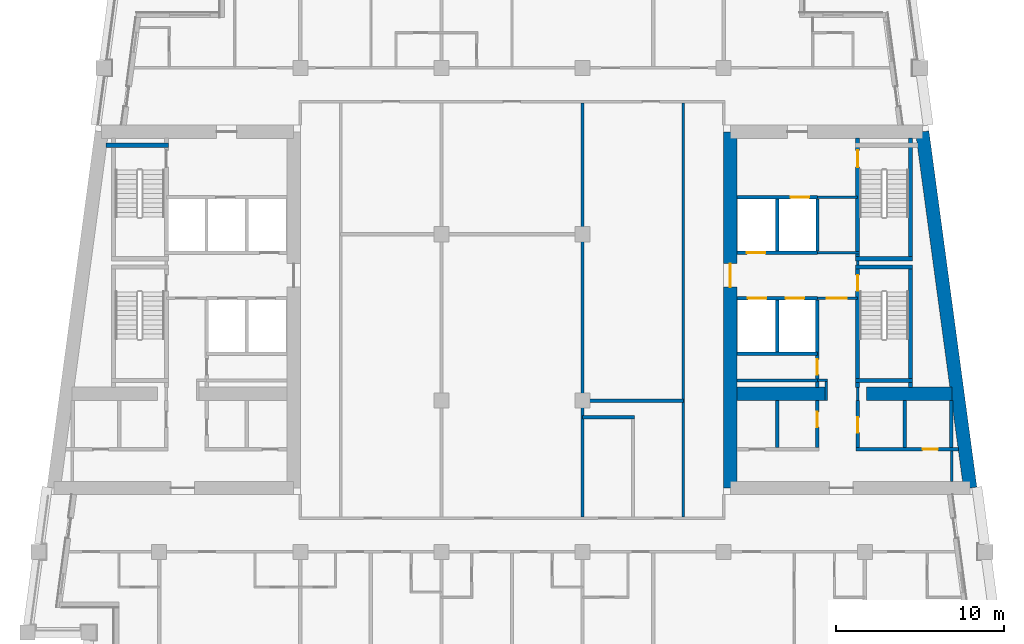
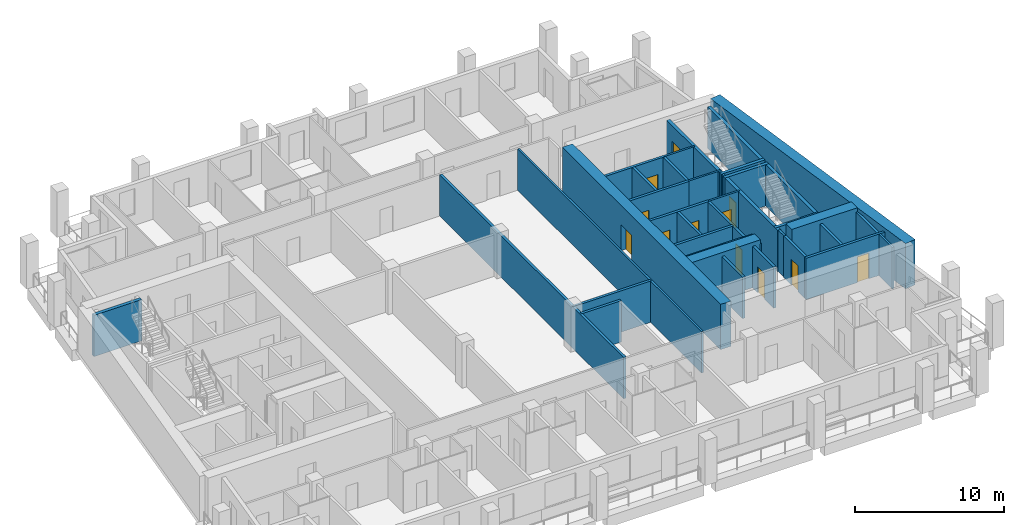
# One storey, part 5 of 13: 39 walls, 12 doors, 12 openings.
"""IFC4 building model written with IfcOpenShell, lengths in metres."""

from ifc_helpers import new_model, si_unit, direction, frame, frame_2d, origin, place, context, subcontext, project, spatial, rectangle, extrude, material, layer, layer_set, type_object, element, fill, save


model = new_model("IFC4")

# Units and contexts
model_context = context("Model", 3, precision=1e-05, world=origin(), true_north=direction((0.0, 1.0)))
body_context = subcontext(model_context, "Body", "Model", "MODEL_VIEW")
ifc_project = project(units=[si_unit("LENGTHUNIT", "METRE"), si_unit("AREAUNIT", "SQUARE_METRE"), si_unit("VOLUMEUNIT", "CUBIC_METRE"), si_unit("PLANEANGLEUNIT", "RADIAN"), si_unit("MASSUNIT", "GRAM", prefix="KILO")], contexts=[model_context])

# Site, building, storey
site_placement = place(None, origin())
site = spatial("IfcSite", under=ifc_project, at=site_placement, CompositionType="ELEMENT")
building_placement = place(site_placement, origin())
building = spatial("IfcBuilding", under=site, at=building_placement, Name="Candeia Pilgrim Tower and Theatre", CompositionType="ELEMENT")
storey_placement = place(building_placement, frame((0.0, 0.0, 239.199951171875)))
storey = spatial("IfcBuildingStorey", under=building, at=storey_placement, Name="L58", CompositionType="ELEMENT", Elevation=239.199951171875)

# Wall
ifc_material_1 = material(Name="Concrete C50/60", Category="concrete")
ifc_layer_1 = layer(ifc_material_1, 0.800048828125)
ifc_layer_set_1 = layer_set([ifc_layer_1], Name="Core wall 800 C50/60")
wall_type_1 = type_object("IfcWallType", Name="Core wall 800 C50/60", PredefinedType="SHEAR", material=ifc_layer_set_1)
wall_1_placement = place(storey_placement, frame((137.819580078125, 132.0, 0.0), z_axis=(0.0, 0.0, 1.0), x_axis=(0.133408347329, -0.991061154956, 0.0)))
element("IfcWall", 1, at=wall_1_placement, inside=storey, type_object=wall_type_1, Name="Core wall E2", PredefinedType="SHEAR", context=body_context, shape_type="SweptSolid", body=[
    extrude(rectangle(XDim=21.39111328125, YDim=0.800048828125, at=frame_2d((10.695556640625, 0.0))), origin(), (0.0, 0.0, 1.0), 3.699951171875),
])

# Wall, opening, door
wall_2_placement = place(storey_placement, frame((126.39990234375, 110.800048828125, 0.0), z_axis=(0.0, 0.0, 1.0), x_axis=(0.0, 1.0, 0.0)))
wall_2 = element("IfcWall", 2, at=wall_2_placement, inside=storey, type_object=wall_type_1, Name="Core wall E4", PredefinedType="SHEAR", context=body_context, shape_type="SweptSolid", body=[
    extrude(rectangle(XDim=21.199951171875, YDim=0.800048828125, at=frame_2d((10.60009765625, 0.0))), origin(), (0.0, 0.0, 1.0), 3.699951171875),
])
opening_1_placement = place(wall_2_placement, frame((11.949951171875, 0.0, 0.0)))
opening_1 = element("IfcOpeningElement", 3, at=opening_1_placement, cuts=wall_2, Name="Opening L58-D061", PredefinedType="OPENING", context=body_context, shape_type="SweptSolid", body=[
    extrude(rectangle(XDim=1.39990234375, YDim=2.10009765625, at=frame_2d((0.699951171875, 1.050048828125))), frame((0.0, 0.41015625, 0.0), z_axis=(0.0, -1.0, 0.0), x_axis=(1.0, 0.0, 0.0)), (0.0, 0.0, 1.0), 0.820068359375),
])
ifc_material_2 = material(Name="Steel fire door set", Category="steel")
door_type_1 = type_object("IfcDoorType", Name="D-1400-FD60", OperationType="NOTDEFINED", PredefinedType="DOOR", material=ifc_material_2)
door_1_placement = place(opening_1_placement, origin())
door_1 = element("IfcDoor", 4, at=door_1_placement, inside=storey, type_object=door_type_1, Name="Door L58-D061", OperationType="SINGLE_SWING_LEFT", OverallHeight=2.10009765625, OverallWidth=1.39990234375, PredefinedType="DOOR", context=body_context, shape_type="SweptSolid", body=[
    extrude(rectangle(XDim=1.39990234375, YDim=2.10009765625, at=frame_2d((0.699951171875, 1.050048828125))), frame((0.0, 0.02490234375, 0.0), z_axis=(0.0, -1.0, 0.0), x_axis=(1.0, 0.0, 0.0)), (0.0, 0.0, 1.0), 0.050048828125),
])
fill(opening_1, door_1)

# Walls
wall_3_placement = place(storey_placement, frame((126.800048828125, 116.39990234375, 0.0), z_axis=(0.0, 0.0, 1.0), x_axis=(1.0, 0.0, 0.0)))
element("IfcWall", 5, at=wall_3_placement, inside=storey, type_object=wall_type_1, Name="Core wall E5", PredefinedType="SHEAR", context=body_context, shape_type="SweptSolid", body=[
    extrude(rectangle(XDim=5.300048828125, YDim=0.800048828125, at=frame_2d((2.64990234375, 0.0))), origin(), (0.0, 0.0, 1.0), 3.699951171875),
])
wall_4_placement = place(storey_placement, frame((134.5, 116.39990234375, 0.0), z_axis=(0.0, 0.0, 1.0), x_axis=(1.0, 0.0, 0.0)))
element("IfcWall", 6, at=wall_4_placement, inside=storey, type_object=wall_type_1, Name="Core wall E6", PredefinedType="SHEAR", context=body_context, shape_type="SweptSolid", body=[
    extrude(rectangle(XDim=5.076904296875, YDim=0.800048828125, at=frame_2d((2.53857421875, 0.0))), origin(), (0.0, 0.0, 1.0), 3.699951171875),
])
ifc_material_3 = material(Name="Gypsum board partition on steel studs", Category="steel")
ifc_layer_2 = layer(ifc_material_3, 0.14990234375)
ifc_layer_set_2 = layer_set([ifc_layer_2], Name="PW-150 lobby wall")
wall_type_2 = type_object("IfcWallType", Name="PW-150 lobby wall", PredefinedType="PARTITIONING", material=ifc_layer_set_2)
wall_5_placement = place(storey_placement, frame((131.572998046875, 117.199951171875, 0.0), z_axis=(0.0, 0.0, 1.0), x_axis=(1.0, 0.0, 0.0)))
element("IfcWall", 7, at=wall_5_placement, inside=storey, type_object=wall_type_2, Name="Lobby wall L58-020", PredefinedType="PARTITIONING", context=body_context, shape_type="SweptSolid", body=[
    extrude(rectangle(XDim=0.60205078125, YDim=0.14990234375, at=frame_2d((0.301025390625, 0.0))), origin(), (0.0, 0.0, 1.0), 3.380126953125),
])

# Wall, opening, door
wall_6_placement = place(storey_placement, frame((131.572998046875, 122.10009765625, 0.0), z_axis=(0.0, 0.0, 1.0), x_axis=(1.0, 0.0, 0.0)))
wall_6 = element("IfcWall", 8, at=wall_6_placement, inside=storey, type_object=wall_type_2, Name="Lobby wall L58-028", PredefinedType="PARTITIONING", context=body_context, shape_type="SweptSolid", body=[
    extrude(rectangle(XDim=2.39990234375, YDim=0.14990234375, at=frame_2d((1.199951171875, 0.0))), origin(), (0.0, 0.0, 1.0), 3.380126953125),
])
opening_2_placement = place(wall_6_placement, frame((0.550048828125, 0.0, 0.0)))
opening_2 = element("IfcOpeningElement", 9, at=opening_2_placement, cuts=wall_6, Name="Opening L58-D009", PredefinedType="OPENING", context=body_context, shape_type="SweptSolid", body=[
    extrude(rectangle(XDim=1.199951171875, YDim=2.10009765625, at=frame_2d((0.60009765625, 1.050048828125))), frame((0.0, 0.0849609375, 0.0), z_axis=(0.0, -1.0, 0.0), x_axis=(1.0, 0.0, 0.0)), (0.0, 0.0, 1.0), 0.169921875),
])
door_type_2 = type_object("IfcDoorType", Name="D-1200-FD60", OperationType="NOTDEFINED", PredefinedType="DOOR", material=ifc_material_2)
door_2_placement = place(opening_2_placement, origin())
door_2 = element("IfcDoor", 10, at=door_2_placement, inside=storey, type_object=door_type_2, Name="Door L58-D009", OperationType="SINGLE_SWING_LEFT", OverallHeight=2.10009765625, OverallWidth=1.199951171875, PredefinedType="DOOR", context=body_context, shape_type="SweptSolid", body=[
    extrude(rectangle(XDim=1.199951171875, YDim=2.10009765625, at=frame_2d((0.60009765625, 1.050048828125))), frame((0.0, 0.02490234375, 0.0), z_axis=(0.0, -1.0, 0.0), x_axis=(1.0, 0.0, 0.0)), (0.0, 0.0, 1.0), 0.050048828125),
])
fill(opening_2, door_2)

# Walls
wall_7_placement = place(storey_placement, frame((131.58203125, 124.800048828125, 0.0), z_axis=(0.0, 0.0, 1.0), x_axis=(1.0, 0.0, 0.0)))
element("IfcWall", 11, at=wall_7_placement, inside=storey, type_object=wall_type_2, Name="Lobby wall L58-035", PredefinedType="PARTITIONING", context=body_context, shape_type="SweptSolid", body=[
    extrude(rectangle(XDim=2.515869140625, YDim=0.14990234375, at=frame_2d((1.2578125, 0.0))), origin(), (0.0, 0.0, 1.0), 3.380126953125),
])
wall_8_placement = place(storey_placement, frame((131.58203125, 128.10009765625, 0.0), z_axis=(0.0, 0.0, 1.0), x_axis=(1.0, 0.0, 0.0)))
element("IfcWall", 12, at=wall_8_placement, inside=storey, type_object=wall_type_2, Name="Lobby wall L58-039", PredefinedType="PARTITIONING", context=body_context, shape_type="SweptSolid", body=[
    extrude(rectangle(XDim=2.390869140625, YDim=0.14990234375, at=frame_2d((1.1953125, 0.0))), origin(), (0.0, 0.0, 1.0), 3.380126953125),
])
wall_9_placement = place(storey_placement, frame((132.10009765625, 116.0, 0.0), z_axis=(0.0, 0.0, 1.0), x_axis=(0.0, 1.0, 0.0)))
element("IfcWall", 13, at=wall_9_placement, inside=storey, type_object=wall_type_2, Name="Lobby wall L58-105", PredefinedType="PARTITIONING", context=body_context, shape_type="SweptSolid", body=[
    extrude(rectangle(XDim=1.125, YDim=0.14990234375, at=frame_2d((0.5625, 0.0))), origin(), (0.0, 0.0, 1.0), 3.380126953125),
])
wall_10_placement = place(storey_placement, frame((133.972900390625, 116.0, 0.0), z_axis=(0.0, 0.0, 1.0), x_axis=(0.0, 1.0, 0.0)))
element("IfcWall", 14, at=wall_10_placement, inside=storey, type_object=wall_type_2, Name="Lobby wall L58-109", PredefinedType="PARTITIONING", context=body_context, shape_type="SweptSolid", body=[
    extrude(rectangle(XDim=0.77001953125, YDim=0.14990234375, at=frame_2d((0.385009765625, 0.0))), origin(), (0.0, 0.0, 1.0), 3.380126953125),
])
wall_11_placement = place(storey_placement, frame((133.972900390625, 124.074951171875, 0.0), z_axis=(0.0, 0.0, 1.0), x_axis=(0.0, 1.0, 0.0)))
element("IfcWall", 15, at=wall_11_placement, inside=storey, type_object=wall_type_2, Name="Lobby wall L58-110", PredefinedType="PARTITIONING", context=body_context, shape_type="SweptSolid", body=[
    extrude(rectangle(XDim=0.25, YDim=0.14990234375, at=frame_2d((0.125, 0.0))), origin(), (0.0, 0.0, 1.0), 3.380126953125),
])
wall_12_placement = place(storey_placement, frame((139.572998046875, 111.199951171875, 0.0), z_axis=(0.0, 0.0, 1.0), x_axis=(0.0, 1.0, 0.0)))
element("IfcWall", 16, at=wall_12_placement, inside=storey, type_object=wall_type_2, Name="Lobby wall L58-119", PredefinedType="PARTITIONING", context=body_context, shape_type="SweptSolid", body=[
    extrude(rectangle(XDim=1.800048828125, YDim=0.14990234375, at=frame_2d((0.89990234375, 0.0))), origin(), (0.0, 0.0, 1.0), 3.380126953125),
])
ifc_layer_3 = layer(ifc_material_3, 0.14990234375)
ifc_layer_set_3 = layer_set([ifc_layer_3], Name="PW-150 unit wall")
wall_type_3 = type_object("IfcWallType", Name="PW-150 unit wall", PredefinedType="PARTITIONING", material=ifc_layer_set_3)
wall_13_placement = place(storey_placement, frame((123.60009765625, 109.074951171875, 0.0), z_axis=(0.0, 0.0, 1.0), x_axis=(0.0, 1.0, 0.0)))
element("IfcWall", 17, at=wall_13_placement, inside=storey, type_object=wall_type_3, Name="Unit wall L58-093", PredefinedType="PARTITIONING", context=body_context, shape_type="SweptSolid", body=[
    extrude(rectangle(XDim=24.650146484375, YDim=0.14990234375, at=frame_2d((12.3251953125, 0.0))), origin(), (0.0, 0.0, 1.0), 3.380126953125),
])
ifc_layer_4 = layer(ifc_material_3, 0.199951171875)
ifc_layer_set_4 = layer_set([ifc_layer_4], Name="PW-200 party wall")
wall_type_4 = type_object("IfcWallType", Name="PW-200 party wall", PredefinedType="PARTITIONING", material=ifc_layer_set_4)
wall_14_placement = place(storey_placement, frame((117.60009765625, 115.0, 0.0), z_axis=(0.0, 0.0, 1.0), x_axis=(1.0, 0.0, 0.0)))
element("IfcWall", 18, at=wall_14_placement, inside=storey, type_object=wall_type_4, Name="Party wall L58-015", PredefinedType="PARTITIONING", context=body_context, shape_type="SweptSolid", body=[
    extrude(rectangle(XDim=3.099853515625, YDim=0.199951171875, at=frame_2d((1.5498046875, 0.0))), origin(), (0.0, 0.0, 1.0), 3.380126953125),
])
wall_15_placement = place(storey_placement, frame((117.60009765625, 116.0, 0.0), z_axis=(0.0, 0.0, 1.0), x_axis=(1.0, 0.0, 0.0)))
element("IfcWall", 19, at=wall_15_placement, inside=storey, type_object=wall_type_4, Name="Party wall L58-016", PredefinedType="PARTITIONING", context=body_context, shape_type="SweptSolid", body=[
    extrude(rectangle(XDim=6.0, YDim=0.199951171875, at=frame_2d((3.0, 0.0))), origin(), (0.0, 0.0, 1.0), 3.380126953125),
])
wall_16_placement = place(storey_placement, frame((117.60009765625, 109.074951171875, 0.0), z_axis=(0.0, 0.0, 1.0), x_axis=(0.0, 1.0, 0.0)))
element("IfcWall", 20, at=wall_16_placement, inside=storey, type_object=wall_type_4, Name="Party wall L58-088", PredefinedType="PARTITIONING", context=body_context, shape_type="SweptSolid", body=[
    extrude(rectangle(XDim=24.650146484375, YDim=0.199951171875, at=frame_2d((12.3251953125, 0.0))), origin(), (0.0, 0.0, 1.0), 3.380126953125),
])

# Wall, opening, door
ifc_material_4 = material(Name="Concrete C40/50", Category="concrete")
ifc_layer_5 = layer(ifc_material_4, 0.199951171875)
ifc_layer_set_5 = layer_set([ifc_layer_5], Name="SW-200 shaft wall")
wall_type_5 = type_object("IfcWallType", Name="SW-200 shaft wall", PredefinedType="PARTITIONING", material=ifc_layer_set_5)
wall_17_placement = place(storey_placement, frame((133.873046875, 113.10009765625, 0.0), z_axis=(0.0, 0.0, 1.0), x_axis=(1.0, 0.0, 0.0)))
wall_17 = element("IfcWall", 21, at=wall_17_placement, inside=storey, type_object=wall_type_5, Name="Shaft wall L58-014", PredefinedType="PARTITIONING", context=body_context, shape_type="SweptSolid", body=[
    extrude(rectangle(XDim=6.116943359375, YDim=0.199951171875, at=frame_2d((3.05859375, 0.0))), origin(), (0.0, 0.0, 1.0), 3.380126953125),
])
opening_3_placement = place(wall_17_placement, frame((3.969970703125, 0.0, 0.0)))
opening_3 = element("IfcOpeningElement", 22, at=opening_3_placement, cuts=wall_17, Name="Opening L58-D013", PredefinedType="OPENING", context=body_context, shape_type="SweptSolid", body=[
    extrude(rectangle(XDim=0.89990234375, YDim=2.10009765625, at=frame_2d((0.449951171875, 1.050048828125))), frame((0.0, 0.10986328125, 0.0), z_axis=(0.0, -1.0, 0.0), x_axis=(1.0, 0.0, 0.0)), (0.0, 0.0, 1.0), 0.219970703125),
])
door_type_3 = type_object("IfcDoorType", Name="D-900-FD60", OperationType="NOTDEFINED", PredefinedType="DOOR", material=ifc_material_2)
door_3_placement = place(opening_3_placement, origin())
door_3 = element("IfcDoor", 23, at=door_3_placement, inside=storey, type_object=door_type_3, Name="Door L58-D013", OperationType="SINGLE_SWING_LEFT", OverallHeight=2.10009765625, OverallWidth=0.89990234375, PredefinedType="DOOR", context=body_context, shape_type="SweptSolid", body=[
    extrude(rectangle(XDim=0.89990234375, YDim=2.10009765625, at=frame_2d((0.449951171875, 1.050048828125))), frame((0.0, 0.02490234375, 0.0), z_axis=(0.0, -1.0, 0.0), x_axis=(1.0, 0.0, 0.0)), (0.0, 0.0, 1.0), 0.050048828125),
])
fill(opening_3, door_3)

# Walls
for number, where, z_axis, x_axis, name in (
    (24, (126.800048828125, 117.199951171875, 0.0), (0.0, 0.0, 1.0), (1.0, 0.0, 0.0), "Shaft wall L58-018"),
    (25, (126.800048828125, 118.800048828125, 0.0), (0.0, 0.0, 1.0), (1.0, 0.0, 0.0), "Shaft wall L58-024"),
):
    element("IfcWall", number, at=place(storey_placement, frame(where, z_axis=z_axis, x_axis=x_axis)), inside=storey, type_object=wall_type_5, Name=name, PredefinedType="PARTITIONING", context=body_context, shape_type="SweptSolid", body=[
        extrude(rectangle(XDim=4.77294921875, YDim=0.199951171875, at=frame_2d((2.386474609375, 0.0))), origin(), (0.0, 0.0, 1.0), 3.380126953125),
    ])

# Wall, openings, doors
wall_18_placement = place(storey_placement, frame((126.800048828125, 122.10009765625, 0.0), z_axis=(0.0, 0.0, 1.0), x_axis=(1.0, 0.0, 0.0)))
wall_18 = element("IfcWall", 26, at=wall_18_placement, inside=storey, type_object=wall_type_5, Name="Shaft wall L58-026", PredefinedType="PARTITIONING", context=body_context, shape_type="SweptSolid", body=[
    extrude(rectangle(XDim=4.77294921875, YDim=0.199951171875, at=frame_2d((2.386474609375, 0.0))), origin(), (0.0, 0.0, 1.0), 3.380126953125),
])
opening_4_placement = place(wall_18_placement, frame((2.883056640625, 0.0, 0.0)))
opening_4 = element("IfcOpeningElement", 27, at=opening_4_placement, cuts=wall_18, Name="Opening L58-LD05", PredefinedType="OPENING", context=body_context, shape_type="SweptSolid", body=[
    extrude(rectangle(XDim=1.10009765625, YDim=2.10009765625, at=frame_2d((0.550048828125, 1.050048828125))), frame((0.0, 0.10986328125, 0.0), z_axis=(0.0, -1.0, 0.0), x_axis=(1.0, 0.0, 0.0)), (0.0, 0.0, 1.0), 0.219970703125),
])
opening_5_placement = place(wall_18_placement, frame((0.64306640625, 0.0, 0.0)))
opening_5 = element("IfcOpeningElement", 28, at=opening_5_placement, cuts=wall_18, Name="Opening L58-LD06", PredefinedType="OPENING", context=body_context, shape_type="SweptSolid", body=[
    extrude(rectangle(XDim=1.10009765625, YDim=2.10009765625, at=frame_2d((0.550048828125, 1.050048828125))), frame((0.0, 0.10986328125, 0.0), z_axis=(0.0, -1.0, 0.0), x_axis=(1.0, 0.0, 0.0)), (0.0, 0.0, 1.0), 0.219970703125),
])
ifc_material_5 = material(Name="Glazed aluminium landing door", Category="aluminium")
door_type_4 = type_object("IfcDoorType", Name="LD-1100-EI120", OperationType="SLIDING_TO_LEFT", PredefinedType="DOOR", material=ifc_material_5)
door_4_placement = place(opening_4_placement, origin())
door_4 = element("IfcDoor", 29, at=door_4_placement, inside=storey, type_object=door_type_4, Name="Landing door 05 L58", OperationType="SLIDING_TO_LEFT", OverallHeight=2.10009765625, OverallWidth=1.10009765625, PredefinedType="DOOR", context=body_context, shape_type="SweptSolid", body=[
    extrude(rectangle(XDim=1.10009765625, YDim=2.10009765625, at=frame_2d((0.550048828125, 1.050048828125))), frame((0.0, 0.02490234375, 0.0), z_axis=(0.0, -1.0, 0.0), x_axis=(1.0, 0.0, 0.0)), (0.0, 0.0, 1.0), 0.050048828125),
])
fill(opening_4, door_4)
door_5_placement = place(opening_5_placement, origin())
door_5 = element("IfcDoor", 30, at=door_5_placement, inside=storey, type_object=door_type_4, Name="Landing door 06 L58", OperationType="SLIDING_TO_LEFT", OverallHeight=2.10009765625, OverallWidth=1.10009765625, PredefinedType="DOOR", context=body_context, shape_type="SweptSolid", body=[
    extrude(rectangle(XDim=1.10009765625, YDim=2.10009765625, at=frame_2d((0.550048828125, 1.050048828125))), frame((0.0, 0.02490234375, 0.0), z_axis=(0.0, -1.0, 0.0), x_axis=(1.0, 0.0, 0.0)), (0.0, 0.0, 1.0), 0.050048828125),
])
fill(opening_5, door_5)

# Wall, opening, door
wall_19_placement = place(storey_placement, frame((126.800048828125, 124.800048828125, 0.0), z_axis=(0.0, 0.0, 1.0), x_axis=(1.0, 0.0, 0.0)))
wall_19 = element("IfcWall", 31, at=wall_19_placement, inside=storey, type_object=wall_type_5, Name="Shaft wall L58-034", PredefinedType="PARTITIONING", context=body_context, shape_type="SweptSolid", body=[
    extrude(rectangle(XDim=4.781982421875, YDim=0.199951171875, at=frame_2d((2.39111328125, 0.0))), origin(), (0.0, 0.0, 1.0), 3.380126953125),
])
opening_6_placement = place(wall_19_placement, frame((0.5859375, 0.0, 0.0)))
opening_6 = element("IfcOpeningElement", 32, at=opening_6_placement, cuts=wall_19, Name="Opening L58-LD08", PredefinedType="OPENING", context=body_context, shape_type="SweptSolid", body=[
    extrude(rectangle(XDim=1.10009765625, YDim=2.10009765625, at=frame_2d((0.550048828125, 1.050048828125))), frame((0.0, 0.10986328125, 0.0), z_axis=(0.0, -1.0, 0.0), x_axis=(1.0, 0.0, 0.0)), (0.0, 0.0, 1.0), 0.219970703125),
])
door_6_placement = place(opening_6_placement, origin())
door_6 = element("IfcDoor", 33, at=door_6_placement, inside=storey, type_object=door_type_4, Name="Landing door 08 L58", OperationType="SLIDING_TO_LEFT", OverallHeight=2.10009765625, OverallWidth=1.10009765625, PredefinedType="DOOR", context=body_context, shape_type="SweptSolid", body=[
    extrude(rectangle(XDim=1.10009765625, YDim=2.10009765625, at=frame_2d((0.550048828125, 1.050048828125))), frame((0.0, 0.02490234375, 0.0), z_axis=(0.0, -1.0, 0.0), x_axis=(1.0, 0.0, 0.0)), (0.0, 0.0, 1.0), 0.050048828125),
])
fill(opening_6, door_6)

wall_20_placement = place(storey_placement, frame((126.800048828125, 128.10009765625, 0.0), z_axis=(0.0, 0.0, 1.0), x_axis=(1.0, 0.0, 0.0)))
wall_20 = element("IfcWall", 34, at=wall_20_placement, inside=storey, type_object=wall_type_5, Name="Shaft wall L58-038", PredefinedType="PARTITIONING", context=body_context, shape_type="SweptSolid", body=[
    extrude(rectangle(XDim=4.781982421875, YDim=0.199951171875, at=frame_2d((2.39111328125, 0.0))), origin(), (0.0, 0.0, 1.0), 3.380126953125),
])
opening_7_placement = place(wall_20_placement, frame((3.18408203125, 0.0, 0.0)))
opening_7 = element("IfcOpeningElement", 35, at=opening_7_placement, cuts=wall_20, Name="Opening L58-LD07", PredefinedType="OPENING", context=body_context, shape_type="SweptSolid", body=[
    extrude(rectangle(XDim=1.10009765625, YDim=2.10009765625, at=frame_2d((0.550048828125, 1.050048828125))), frame((0.0, 0.10986328125, 0.0), z_axis=(0.0, -1.0, 0.0), x_axis=(1.0, 0.0, 0.0)), (0.0, 0.0, 1.0), 0.219970703125),
])
door_7_placement = place(opening_7_placement, origin())
door_7 = element("IfcDoor", 36, at=door_7_placement, inside=storey, type_object=door_type_4, Name="Landing door 07 L58", OperationType="SLIDING_TO_LEFT", OverallHeight=2.10009765625, OverallWidth=1.10009765625, PredefinedType="DOOR", context=body_context, shape_type="SweptSolid", body=[
    extrude(rectangle(XDim=1.10009765625, YDim=2.10009765625, at=frame_2d((0.550048828125, 1.050048828125))), frame((0.0, 0.02490234375, 0.0), z_axis=(0.0, -1.0, 0.0), x_axis=(1.0, 0.0, 0.0)), (0.0, 0.0, 1.0), 0.050048828125),
])
fill(opening_7, door_7)

# Walls
wall_21_placement = place(storey_placement, frame((129.1865234375, 113.199951171875, 0.0), z_axis=(0.0, 0.0, 1.0), x_axis=(0.0, 1.0, 0.0)))
element("IfcWall", 37, at=wall_21_placement, inside=storey, type_object=wall_type_5, Name="Shaft wall L58-097", PredefinedType="PARTITIONING", context=body_context, shape_type="SweptSolid", body=[
    extrude(rectangle(XDim=2.800048828125, YDim=0.199951171875, at=frame_2d((1.39990234375, 0.0))), origin(), (0.0, 0.0, 1.0), 3.380126953125),
])
for number, where, z_axis, x_axis, name in (
    (38, (129.1865234375, 118.89990234375, 0.0), (0.0, 0.0, 1.0), (0.0, 1.0, 0.0), "Shaft wall L58-098"),
    (39, (129.19091796875, 124.89990234375, 0.0), (0.0, 0.0, 1.0), (0.0, 1.0, 0.0), "Shaft wall L58-099"),
):
    element("IfcWall", number, at=place(storey_placement, frame(where, z_axis=z_axis, x_axis=x_axis)), inside=storey, type_object=wall_type_5, Name=name, PredefinedType="PARTITIONING", context=body_context, shape_type="SweptSolid", body=[
        extrude(rectangle(XDim=3.10009765625, YDim=0.199951171875, at=frame_2d((1.550048828125, 0.0))), origin(), (0.0, 0.0, 1.0), 3.380126953125),
    ])

# Wall, opening, door
wall_22_placement = place(storey_placement, frame((131.572998046875, 113.199951171875, 0.0), z_axis=(0.0, 0.0, 1.0), x_axis=(0.0, 1.0, 0.0)))
wall_22 = element("IfcWall", 40, at=wall_22_placement, inside=storey, type_object=wall_type_5, Name="Shaft wall L58-102", PredefinedType="PARTITIONING", context=body_context, shape_type="SweptSolid", body=[
    extrude(rectangle(XDim=2.800048828125, YDim=0.199951171875, at=frame_2d((1.39990234375, 0.0))), origin(), (0.0, 0.0, 1.0), 3.380126953125),
])
opening_8_placement = place(wall_22_placement, frame((1.22509765625, 0.0, 0.0)))
opening_8 = element("IfcOpeningElement", 41, at=opening_8_placement, cuts=wall_22, Name="Opening L58-D015", PredefinedType="OPENING", context=body_context, shape_type="SweptSolid", body=[
    extrude(rectangle(XDim=0.89990234375, YDim=2.10009765625, at=frame_2d((0.449951171875, 1.050048828125))), frame((0.0, 0.10986328125, 0.0), z_axis=(0.0, -1.0, 0.0), x_axis=(1.0, 0.0, 0.0)), (0.0, 0.0, 1.0), 0.219970703125),
])
door_8_placement = place(opening_8_placement, origin())
door_8 = element("IfcDoor", 42, at=door_8_placement, inside=storey, type_object=door_type_3, Name="Door L58-D015", OperationType="SINGLE_SWING_LEFT", OverallHeight=2.10009765625, OverallWidth=0.89990234375, PredefinedType="DOOR", context=body_context, shape_type="SweptSolid", body=[
    extrude(rectangle(XDim=0.89990234375, YDim=2.10009765625, at=frame_2d((0.449951171875, 1.050048828125))), frame((0.0, 0.02490234375, 0.0), z_axis=(0.0, -1.0, 0.0), x_axis=(1.0, 0.0, 0.0)), (0.0, 0.0, 1.0), 0.050048828125),
])
fill(opening_8, door_8)

wall_23_placement = place(storey_placement, frame((131.572998046875, 116.77001953125, 0.0), z_axis=(0.0, 0.0, 1.0), x_axis=(0.0, 1.0, 0.0)))
wall_23 = element("IfcWall", 43, at=wall_23_placement, inside=storey, type_object=wall_type_5, Name="Shaft wall L58-103", PredefinedType="PARTITIONING", context=body_context, shape_type="SweptSolid", body=[
    extrude(rectangle(XDim=5.22998046875, YDim=0.199951171875, at=frame_2d((2.614990234375, 0.0))), origin(), (0.0, 0.0, 1.0), 3.380126953125),
])
opening_9_placement = place(wall_23_placement, frame((0.780029296875, 0.0, 0.0)))
opening_9 = element("IfcOpeningElement", 44, at=opening_9_placement, cuts=wall_23, Name="Opening L58-D012", PredefinedType="OPENING", context=body_context, shape_type="SweptSolid", body=[
    extrude(rectangle(XDim=0.89990234375, YDim=2.10009765625, at=frame_2d((0.449951171875, 1.050048828125))), frame((0.0, 0.10986328125, 0.0), z_axis=(0.0, -1.0, 0.0), x_axis=(1.0, 0.0, 0.0)), (0.0, 0.0, 1.0), 0.219970703125),
])
door_9_placement = place(opening_9_placement, origin())
door_9 = element("IfcDoor", 45, at=door_9_placement, inside=storey, type_object=door_type_3, Name="Door L58-D012", OperationType="SINGLE_SWING_RIGHT", OverallHeight=2.10009765625, OverallWidth=0.89990234375, PredefinedType="DOOR", context=body_context, shape_type="SweptSolid", body=[
    extrude(rectangle(XDim=0.89990234375, YDim=2.10009765625, at=frame_2d((0.449951171875, 1.050048828125))), frame((0.0, 0.02490234375, 0.0), z_axis=(0.0, -1.0, 0.0), x_axis=(1.0, 0.0, 0.0)), (0.0, 0.0, 1.0), 0.050048828125),
])
fill(opening_9, door_9)

# Wall
wall_24_placement = place(storey_placement, frame((131.58203125, 124.89990234375, 0.0), z_axis=(0.0, 0.0, 1.0), x_axis=(0.0, 1.0, 0.0)))
element("IfcWall", 46, at=wall_24_placement, inside=storey, type_object=wall_type_5, Name="Shaft wall L58-104", PredefinedType="PARTITIONING", context=body_context, shape_type="SweptSolid", body=[
    extrude(rectangle(XDim=3.10009765625, YDim=0.199951171875, at=frame_2d((1.550048828125, 0.0))), origin(), (0.0, 0.0, 1.0), 3.380126953125),
])

# Wall, opening, door
wall_25_placement = place(storey_placement, frame((133.972900390625, 113.199951171875, 0.0), z_axis=(0.0, 0.0, 1.0), x_axis=(0.0, 1.0, 0.0)))
wall_25 = element("IfcWall", 47, at=wall_25_placement, inside=storey, type_object=wall_type_5, Name="Shaft wall L58-108", PredefinedType="PARTITIONING", context=body_context, shape_type="SweptSolid", body=[
    extrude(rectangle(XDim=2.800048828125, YDim=0.199951171875, at=frame_2d((1.39990234375, 0.0))), origin(), (0.0, 0.0, 1.0), 3.380126953125),
])
opening_10_placement = place(wall_25_placement, frame((0.89990234375, 0.0, 0.0)))
opening_10 = element("IfcOpeningElement", 48, at=opening_10_placement, cuts=wall_25, Name="Opening L58-D014", PredefinedType="OPENING", context=body_context, shape_type="SweptSolid", body=[
    extrude(rectangle(XDim=0.89990234375, YDim=2.10009765625, at=frame_2d((0.449951171875, 1.050048828125))), frame((0.0, 0.10986328125, 0.0), z_axis=(0.0, -1.0, 0.0), x_axis=(1.0, 0.0, 0.0)), (0.0, 0.0, 1.0), 0.219970703125),
])
door_10_placement = place(opening_10_placement, origin())
door_10 = element("IfcDoor", 49, at=door_10_placement, inside=storey, type_object=door_type_3, Name="Door L58-D014", OperationType="SINGLE_SWING_RIGHT", OverallHeight=2.10009765625, OverallWidth=0.89990234375, PredefinedType="DOOR", context=body_context, shape_type="SweptSolid", body=[
    extrude(rectangle(XDim=0.89990234375, YDim=2.10009765625, at=frame_2d((0.449951171875, 1.050048828125))), frame((0.0, 0.02490234375, 0.0), z_axis=(0.0, -1.0, 0.0), x_axis=(1.0, 0.0, 0.0)), (0.0, 0.0, 1.0), 0.050048828125),
])
fill(opening_10, door_10)

# Walls
for number, where, z_axis, x_axis, name in (
    (50, (136.77294921875, 113.199951171875, 0.0), (0.0, 0.0, 1.0), (0.0, 1.0, 0.0), "Shaft wall L58-114"),
    (51, (139.550537109375, 113.199951171875, 0.0), (0.0, 0.0, 1.0), (0.0, 1.0, 0.0), "Shaft wall L58-118"),
):
    element("IfcWall", number, at=place(storey_placement, frame(where, z_axis=z_axis, x_axis=x_axis)), inside=storey, type_object=wall_type_5, Name=name, PredefinedType="PARTITIONING", context=body_context, shape_type="SweptSolid", body=[
        extrude(rectangle(XDim=2.800048828125, YDim=0.199951171875, at=frame_2d((1.39990234375, 0.0))), origin(), (0.0, 0.0, 1.0), 3.380126953125),
    ])
ifc_layer_6 = layer(ifc_material_4, 0.25)
ifc_layer_set_6 = layer_set([ifc_layer_6], Name="SW-250 stair wall")
wall_type_6 = type_object("IfcWallType", Name="SW-250 stair wall", PredefinedType="PARTITIONING", material=ifc_layer_set_6)
for number, where, z_axis, x_axis, name in (
    (52, (133.847900390625, 117.199951171875, 0.0), (0.0, 0.0, 1.0), (1.0, 0.0, 0.0), "Stair wall L58-022"),
    (53, (133.847900390625, 123.949951171875, 0.0), (0.0, 0.0, 1.0), (1.0, 0.0, 0.0), "Stair wall L58-030"),
    (54, (133.847900390625, 124.449951171875, 0.0), (0.0, 0.0, 1.0), (1.0, 0.0, 0.0), "Stair wall L58-032"),
):
    element("IfcWall", number, at=place(storey_placement, frame(where, z_axis=z_axis, x_axis=x_axis)), inside=storey, type_object=wall_type_6, Name=name, PredefinedType="PARTITIONING", context=body_context, shape_type="SweptSolid", body=[
        extrude(rectangle(XDim=3.400146484375, YDim=0.25, at=frame_2d((1.7001953125, 0.0))), origin(), (0.0, 0.0, 1.0), 3.380126953125),
    ])
wall_26_placement = place(storey_placement, frame((89.246337890625, 131.199951171875, 0.0), z_axis=(0.0, 0.0, 1.0), x_axis=(1.0, 0.0, 0.0)))
element("IfcWall", 55, at=wall_26_placement, inside=storey, type_object=wall_type_6, Name="Stair wall L58-040", PredefinedType="PARTITIONING", context=body_context, shape_type="SweptSolid", body=[
    extrude(rectangle(XDim=3.70556640625, YDim=0.25, at=frame_2d((1.852783203125, 0.0))), origin(), (0.0, 0.0, 1.0), 3.380126953125),
])

# Wall, opening, door
wall_27_placement = place(storey_placement, frame((133.972900390625, 116.77001953125, 0.0), z_axis=(0.0, 0.0, 1.0), x_axis=(0.0, 1.0, 0.0)))
wall_27 = element("IfcWall", 56, at=wall_27_placement, inside=storey, type_object=wall_type_6, Name="Stair wall L58-111", PredefinedType="PARTITIONING", context=body_context, shape_type="SweptSolid", body=[
    extrude(rectangle(XDim=7.054931640625, YDim=0.25, at=frame_2d((3.52734375, 0.0))), origin(), (0.0, 0.0, 1.0), 3.380126953125),
])
opening_11_placement = place(wall_27_placement, frame((5.7548828125, 0.0, 0.0)))
opening_11 = element("IfcOpeningElement", 57, at=opening_11_placement, cuts=wall_27, Name="Opening L58-D010", PredefinedType="OPENING", context=body_context, shape_type="SweptSolid", body=[
    extrude(rectangle(XDim=0.949951171875, YDim=2.10009765625, at=frame_2d((0.47509765625, 1.050048828125))), frame((0.0, 0.135009765625, 0.0), z_axis=(0.0, -1.0, 0.0), x_axis=(1.0, 0.0, 0.0)), (0.0, 0.0, 1.0), 0.27001953125),
])
door_type_5 = type_object("IfcDoorType", Name="D-950-FD60", OperationType="NOTDEFINED", PredefinedType="DOOR", material=ifc_material_2)
door_11_placement = place(opening_11_placement, origin())
door_11 = element("IfcDoor", 58, at=door_11_placement, inside=storey, type_object=door_type_5, Name="Door L58-D010", OperationType="SINGLE_SWING_RIGHT", OverallHeight=2.10009765625, OverallWidth=0.949951171875, PredefinedType="DOOR", context=body_context, shape_type="SweptSolid", body=[
    extrude(rectangle(XDim=0.949951171875, YDim=2.10009765625, at=frame_2d((0.47509765625, 1.050048828125))), frame((0.0, 0.02490234375, 0.0), z_axis=(0.0, -1.0, 0.0), x_axis=(1.0, 0.0, 0.0)), (0.0, 0.0, 1.0), 0.050048828125),
])
fill(opening_11, door_11)

wall_28_placement = place(storey_placement, frame((133.972900390625, 124.574951171875, 0.0), z_axis=(0.0, 0.0, 1.0), x_axis=(0.0, 1.0, 0.0)))
wall_28 = element("IfcWall", 59, at=wall_28_placement, inside=storey, type_object=wall_type_6, Name="Stair wall L58-112", PredefinedType="PARTITIONING", context=body_context, shape_type="SweptSolid", body=[
    extrude(rectangle(XDim=7.054931640625, YDim=0.25, at=frame_2d((3.52734375, 0.0))), origin(), (0.0, 0.0, 1.0), 3.380126953125),
])
opening_12_placement = place(wall_28_placement, frame((5.324951171875, 0.0, 0.0)))
opening_12 = element("IfcOpeningElement", 60, at=opening_12_placement, cuts=wall_28, Name="Opening L58-D011", PredefinedType="OPENING", context=body_context, shape_type="SweptSolid", body=[
    extrude(rectangle(XDim=1.0, YDim=2.10009765625, at=frame_2d((0.5, 1.050048828125))), frame((0.0, 0.135009765625, 0.0), z_axis=(0.0, -1.0, 0.0), x_axis=(1.0, 0.0, 0.0)), (0.0, 0.0, 1.0), 0.27001953125),
])
door_type_6 = type_object("IfcDoorType", Name="D-1000-FD60", OperationType="NOTDEFINED", PredefinedType="DOOR", material=ifc_material_2)
door_12_placement = place(opening_12_placement, origin())
door_12 = element("IfcDoor", 61, at=door_12_placement, inside=storey, type_object=door_type_6, Name="Door L58-D011", OperationType="SINGLE_SWING_LEFT", OverallHeight=2.10009765625, OverallWidth=1.0, PredefinedType="DOOR", context=body_context, shape_type="SweptSolid", body=[
    extrude(rectangle(XDim=1.0, YDim=2.10009765625, at=frame_2d((0.5, 1.050048828125))), frame((0.0, 0.02490234375, 0.0), z_axis=(0.0, -1.0, 0.0), x_axis=(1.0, 0.0, 0.0)), (0.0, 0.0, 1.0), 0.050048828125),
])
fill(opening_12, door_12)

# Walls
for number, where, z_axis, x_axis, name in (
    (62, (137.123046875, 116.77001953125, 0.0), (0.0, 0.0, 1.0), (0.0, 1.0, 0.0), "Stair wall L58-115"),
    (63, (137.123046875, 124.574951171875, 0.0), (0.0, 0.0, 1.0), (0.0, 1.0, 0.0), "Stair wall L58-116"),
):
    element("IfcWall", number, at=place(storey_placement, frame(where, z_axis=z_axis, x_axis=x_axis)), inside=storey, type_object=wall_type_6, Name=name, PredefinedType="PARTITIONING", context=body_context, shape_type="SweptSolid", body=[
        extrude(rectangle(XDim=7.054931640625, YDim=0.25, at=frame_2d((3.52734375, 0.0))), origin(), (0.0, 0.0, 1.0), 3.380126953125),
    ])

save(model, "model.ifc")
